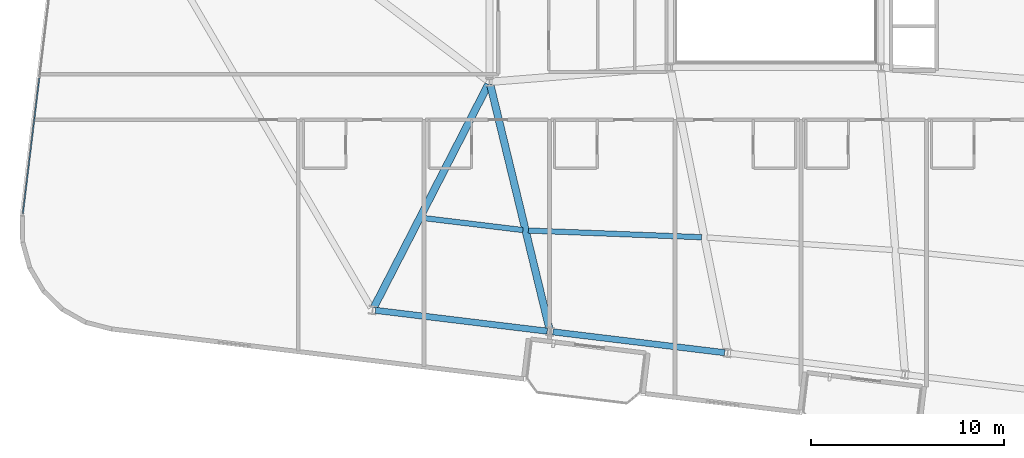
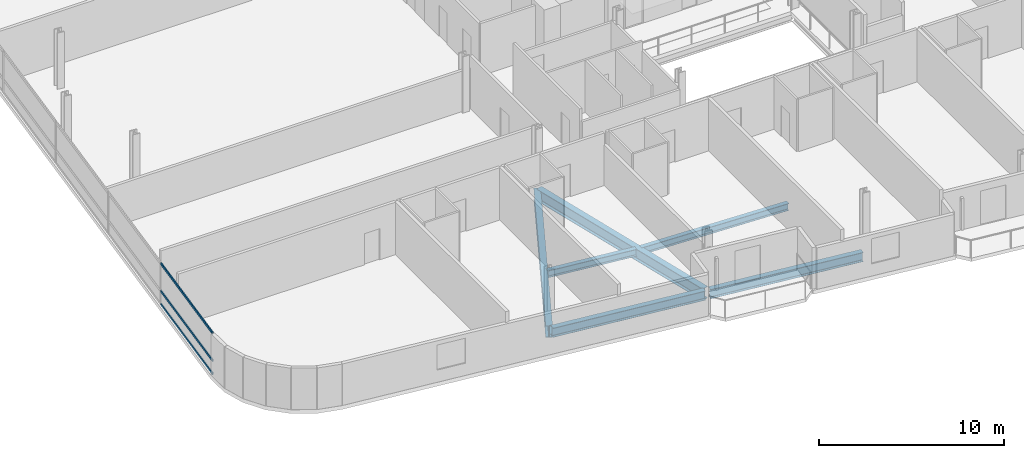
# One storey, part 3 of 26: 6 beams, 3 members, 1 element without a shape of its own.
"""IFC4 building model written with IfcOpenShell, lengths in metres."""

from ifc_helpers import new_model, si_unit, direction, frame, origin, origin_2d, place, context, subcontext, project, spatial, hollow_rectangle, i_section, extrude, material, layer, layer_set, material_profile, profile_set, type_object, element, aggregate, save


model = new_model("IFC4")

# Units and contexts
model_context = context("Model", 3, precision=1e-05, world=origin(), true_north=direction((0.0, 1.0)))
body_context = subcontext(model_context, "Body", "Model", "MODEL_VIEW")
ifc_project = project(units=[si_unit("LENGTHUNIT", "METRE"), si_unit("AREAUNIT", "SQUARE_METRE"), si_unit("VOLUMEUNIT", "CUBIC_METRE"), si_unit("PLANEANGLEUNIT", "RADIAN"), si_unit("MASSUNIT", "GRAM", prefix="KILO")], contexts=[model_context])

# Site, building, storey
site_placement = place(None, origin())
site = spatial("IfcSite", under=ifc_project, at=site_placement, CompositionType="ELEMENT")
building_placement = place(site_placement, origin())
building = spatial("IfcBuilding", under=site, at=building_placement, Name="Varnelok Gate Tower", CompositionType="ELEMENT")
storey_placement = place(building_placement, frame((0.0, 0.0, 125.39990234375)))
storey = spatial("IfcBuildingStorey", under=building, at=storey_placement, Name="L31", CompositionType="ELEMENT", Elevation=125.39990234375)

# Beams
ifc_material_1 = material(Name="Structural Steel ASTM A992 Grade 50", Category="steel")
ifc_material_profile_1 = material_profile(ifc_material_1, i_section(OverallWidth=0.280029296875, OverallDepth=0.462890625, WebThickness=0.0107421875, FlangeThickness=0.017333984375, FilletRadius=0.014892578125, at=origin_2d()), Name="W18X76")
ifc_profile_set_1 = profile_set([ifc_material_profile_1], Name="Structural Steel ASTM A992 Grade 50")
beam_type_1 = type_object("IfcBeamType", Name="BM-JST-W18X76", PredefinedType="JOIST", material=ifc_profile_set_1)
beam_1_placement = place(storey_placement, frame((20.936767578125, 11.76025390625, -0.4814453125), z_axis=(0.99273192091, -0.120346720792, 0.0), x_axis=(0.120346720792, 0.99273192091, 0.0)))
element("IfcBeam", 1, at=beam_1_placement, inside=storey, type_object=beam_type_1, Name="L31 Sector Floor Joist 1", PredefinedType="JOIST", context=body_context, shape_type="SweptSolid", body=[
    extrude(i_section(OverallWidth=0.280029296875, OverallDepth=0.462890625, WebThickness=0.0107421875, FlangeThickness=0.017333984375, FilletRadius=0.014892578125, at=origin_2d()), origin(), (0.0, 0.0, 1.0), 5.223876953125),
])
beam_2_placement = place(storey_placement, frame((26.4013671875, 11.109375, -0.4814453125), z_axis=(0.999248831598, -0.038752710239, 0.0), x_axis=(0.038752710239, 0.999248831598, 0.0)))
element("IfcBeam", 2, at=beam_2_placement, inside=storey, type_object=beam_type_1, Name="L31 Sector Floor Joist 2", PredefinedType="JOIST", context=body_context, shape_type="SweptSolid", body=[
    extrude(i_section(OverallWidth=0.280029296875, OverallDepth=0.462890625, WebThickness=0.0107421875, FlangeThickness=0.017333984375, FilletRadius=0.014892578125, at=origin_2d()), origin(), (0.0, 0.0, 1.0), 8.9775390625),
])
ifc_material_profile_2 = material_profile(ifc_material_1, i_section(OverallWidth=0.381103515625, OverallDepth=0.77294921875, WebThickness=0.0166015625, FlangeThickness=0.027099609375, FilletRadius=0.02197265625, at=origin_2d()), Name="W30X173")
ifc_profile_set_2 = profile_set([ifc_material_profile_2], Name="Structural Steel ASTM A992 Grade 50")
beam_type_2 = type_object("IfcBeamType", Name="BM-PRI-W30X173", PredefinedType="BEAM", material=ifc_profile_set_2)
beam_3_placement = place(storey_placement, frame((24.33154296875, 18.66650390625, -0.636474609375), z_axis=(-0.456386604987, -0.889781583754, 0.0), x_axis=(0.889781583754, -0.456386604987, 0.0)))
element("IfcBeam", 3, at=beam_3_placement, inside=storey, type_object=beam_type_2, Name="L31 Radial Floor Girder 1", PredefinedType="BEAM", context=body_context, shape_type="SweptSolid", body=[
    extrude(i_section(OverallWidth=0.381103515625, OverallDepth=0.77294921875, WebThickness=0.0166015625, FlangeThickness=0.027099609375, FilletRadius=0.02197265625, at=origin_2d()), origin(), (0.0, 0.0, 1.0), 12.96533203125),
])
beam_4_placement = place(storey_placement, frame((24.435302734375, 18.654296875, -0.636474609375), z_axis=(0.235400453941, -0.971898465008, 0.0), x_axis=(0.971898465008, 0.235400453941, 0.0)))
element("IfcBeam", 4, at=beam_4_placement, inside=storey, type_object=beam_type_2, Name="L31 Radial Floor Girder 2", PredefinedType="BEAM", context=body_context, shape_type="SweptSolid", body=[
    extrude(i_section(OverallWidth=0.381103515625, OverallDepth=0.77294921875, WebThickness=0.0166015625, FlangeThickness=0.027099609375, FilletRadius=0.02197265625, at=origin_2d()), origin(), (0.0, 0.0, 1.0), 12.989990234375),
])
ifc_material_profile_3 = material_profile(ifc_material_1, i_section(OverallWidth=0.323974609375, OverallDepth=0.611083984375, WebThickness=0.0126953125, FlangeThickness=0.01904296875, FilletRadius=0.01806640625, at=origin_2d()), Name="W24X104")
ifc_profile_set_3 = profile_set([ifc_material_profile_3], Name="Structural Steel ASTM A992 Grade 50")
beam_type_3 = type_object("IfcBeamType", Name="BM-SPN-W24X104", PredefinedType="SPANDREL", material=ifc_profile_set_3)
for number, where, z_axis, x_axis, name in (
    (5, (18.49462890625, 6.978515625, -0.555419921875), (0.992734670707, -0.120324035735, 0.0), (0.120324035735, 0.992734670707, 0.0), "L31 Perimeter Spandrel Beam 1"),
    (6, (27.677490234375, 5.865478515625, -0.555419921875), (0.99273141198, -0.120350918849, 0.0), (0.120350918849, 0.99273141198, 0.0), "L31 Perimeter Spandrel Beam 2"),
):
    element("IfcBeam", number, at=place(storey_placement, frame(where, z_axis=z_axis, x_axis=x_axis)), inside=storey, type_object=beam_type_3, Name=name, PredefinedType="SPANDREL", context=body_context, shape_type="SweptSolid", body=[
        extrude(i_section(OverallWidth=0.323974609375, OverallDepth=0.611083984375, WebThickness=0.0126953125, FlangeThickness=0.01904296875, FilletRadius=0.01806640625, at=origin_2d()), origin(), (0.0, 0.0, 1.0), 8.949951171875),
    ])

# Curtain wall, members
ifc_material_2 = material(Name="Anodized Aluminum Alloy 6063-T6", Category="aluminium")
ifc_layer = layer(ifc_material_2, 0.179931640625)
ifc_layer_set = layer_set([ifc_layer], Name="Anodized Aluminum Alloy 6063-T6")
curtain_wall_type = type_object("IfcCurtainWallType", Name="CW3-HOTEL-VISION", PredefinedType="USERDEFINED", material=ifc_layer_set)
curtain_wall_placement = place(storey_placement, origin())
curtain_wall = element("IfcCurtainWall", 7, at=curtain_wall_placement, inside=storey, type_object=curtain_wall_type, Name="L31 West End Vision Curtain Wall", ObjectType="UNITISED CURTAIN WALL", PredefinedType="USERDEFINED")
ifc_material_profile_4 = material_profile(ifc_material_2, hollow_rectangle(XDim=0.06494140625, YDim=0.159912109375, WallThickness=0.00390625, at=origin_2d()), Name="ALU160X65X4")
ifc_profile_set_4 = profile_set([ifc_material_profile_4], Name="Anodized Aluminum Alloy 6063-T6")
member_type = type_object("IfcMemberType", Name="CW-TRAN-160", PredefinedType="USERDEFINED", material=ifc_profile_set_4)
member_1_placement = place(storey_placement, frame((0.2509765625, 11.955322265625, 0.03271484375), z_axis=(0.120344712857, 0.992732164326, 0.0), x_axis=(-0.992732164326, 0.120344712857, 0.0)))
member_1 = element("IfcMember", 8, at=member_1_placement, type_object=member_type, Name="CW3 transom 1.1", ObjectType="TRANSOM", PredefinedType="USERDEFINED", context=body_context, shape_type="SweptSolid", body=[
    extrude(hollow_rectangle(XDim=0.06494140625, YDim=0.159912109375, WallThickness=0.00390625, at=origin_2d()), origin(), (0.0, 0.0, 1.0), 7.102294921875),
])
member_2_placement = place(storey_placement, frame((0.2509765625, 11.955322265625, 0.900146484375), z_axis=(0.120344712857, 0.992732164326, 0.0), x_axis=(-0.992732164326, 0.120344712857, 0.0)))
member_2 = element("IfcMember", 9, at=member_2_placement, type_object=member_type, Name="CW3 transom 1.2", ObjectType="TRANSOM", PredefinedType="USERDEFINED", context=body_context, shape_type="SweptSolid", body=[
    extrude(hollow_rectangle(XDim=0.06494140625, YDim=0.159912109375, WallThickness=0.00390625, at=origin_2d()), origin(), (0.0, 0.0, 1.0), 7.102294921875),
])
member_3_placement = place(storey_placement, frame((0.2509765625, 11.955322265625, 2.697509765625), z_axis=(0.120344712857, 0.992732164326, 0.0), x_axis=(-0.992732164326, 0.120344712857, 0.0)))
member_3 = element("IfcMember", 10, at=member_3_placement, type_object=member_type, Name="CW3 transom 1.3", ObjectType="TRANSOM", PredefinedType="USERDEFINED", context=body_context, shape_type="SweptSolid", body=[
    extrude(hollow_rectangle(XDim=0.06494140625, YDim=0.159912109375, WallThickness=0.00390625, at=origin_2d()), origin(), (0.0, 0.0, 1.0), 7.102294921875),
])
aggregate(curtain_wall, [member_1, member_2, member_3])

save(model, "model.ifc")
